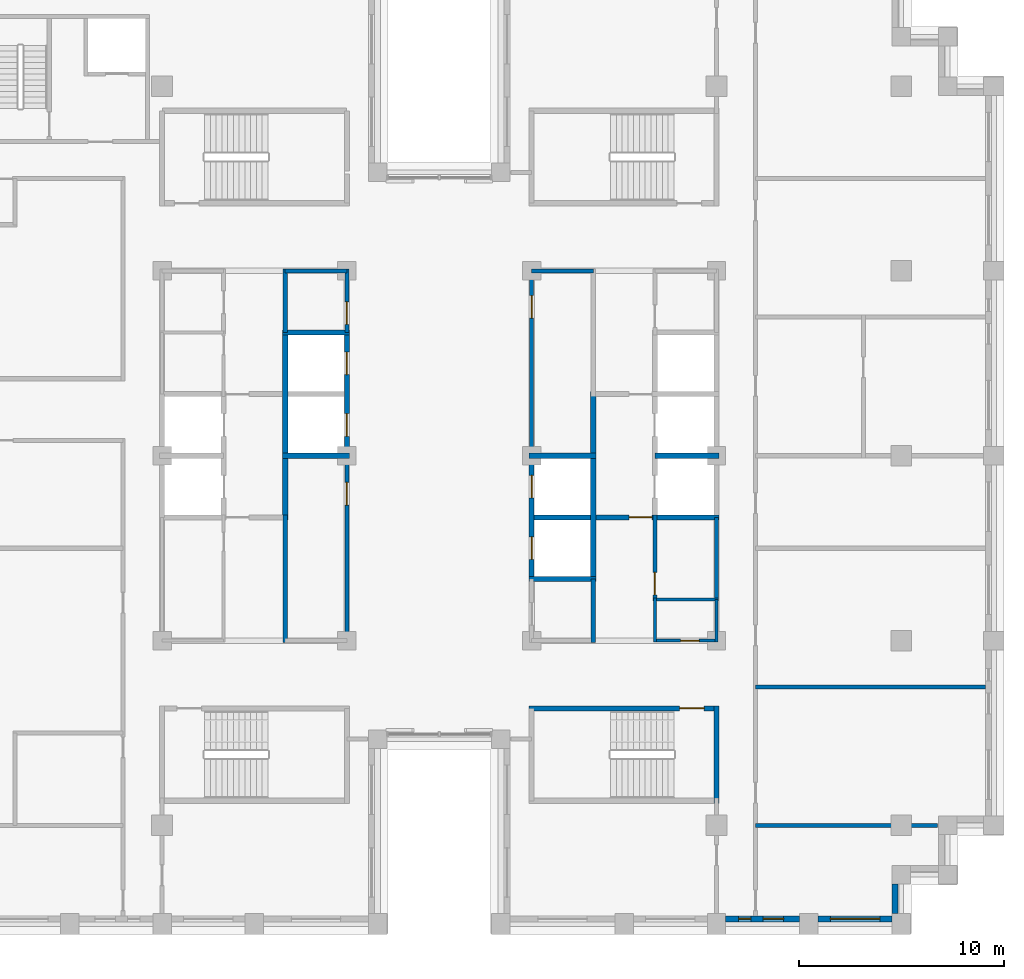
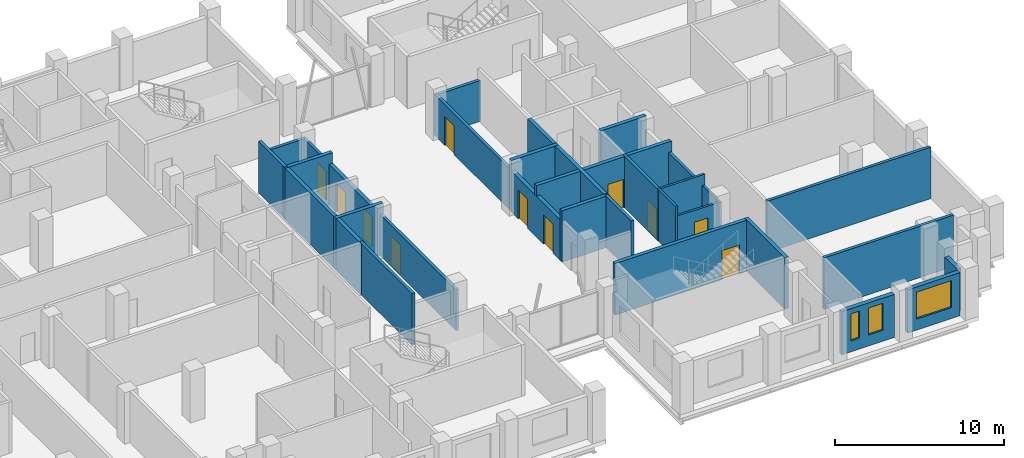
# One storey, part 8 of 15: 31 walls, 11 doors, 3 windows, 14 openings.
"""IFC4 building model written with IfcOpenShell, lengths in metres."""

from ifc_helpers import new_model, si_unit, direction, frame, frame_2d, origin, place, context, subcontext, project, spatial, rectangle, extrude, material, layer, layer_set, type_object, element, fill, save


model = new_model("IFC4")

# Units and contexts
model_context = context("Model", 3, precision=1e-05, world=origin(), true_north=direction((0.0, 1.0)))
body_context = subcontext(model_context, "Body", "Model", "MODEL_VIEW")
ifc_project = project(units=[si_unit("LENGTHUNIT", "METRE"), si_unit("AREAUNIT", "SQUARE_METRE"), si_unit("VOLUMEUNIT", "CUBIC_METRE"), si_unit("PLANEANGLEUNIT", "RADIAN"), si_unit("MASSUNIT", "GRAM", prefix="KILO")], contexts=[model_context])

# Site, building, storey
site_placement = place(None, origin())
site = spatial("IfcSite", under=ifc_project, at=site_placement, CompositionType="ELEMENT")
building_placement = place(site_placement, origin())
building = spatial("IfcBuilding", under=site, at=building_placement, Name="Corbelhall Arena Tower", CompositionType="ELEMENT")
storey_placement = place(building_placement, frame((0.0, 0.0, 228.0)))
storey = spatial("IfcBuildingStorey", under=building, at=storey_placement, Name="L48", CompositionType="ELEMENT", Elevation=228.0)

# Wall, openings, windows
ifc_material_1 = material(Name="Precast concrete C40/50 with granite facing", Category="masonry")
ifc_layer_1 = layer(ifc_material_1, 0.300048828125)
ifc_layer_set_1 = layer_set([ifc_layer_1], Name="EV-IW1 Infill panel 300")
wall_type_1 = type_object("IfcWallType", Name="EV-IW1 Infill panel 300", PredefinedType="SOLIDWALL", material=ifc_layer_set_1)
wall_1_placement = place(storey_placement, frame((13.949951171875, -22.550048828125, 0.0), z_axis=(0.0, 0.0, 1.0), x_axis=(1.0, 0.0, 0.0)))
wall_1 = element("IfcWall", 1, at=wall_1_placement, inside=storey, type_object=wall_type_1, Name="Infill panel IW1", PredefinedType="SOLIDWALL", context=body_context, shape_type="SweptSolid", body=[
    extrude(rectangle(XDim=3.60009765625, YDim=0.300048828125, at=frame_2d((1.800048828125, 0.0))), origin(), (0.0, 0.0, 1.0), 3.1201171875),
])
opening_1_placement = place(wall_1_placement, frame((0.625, 0.0, 0.800048828125)))
opening_1 = element("IfcOpeningElement", 2, at=opening_1_placement, cuts=wall_1, Name="Opening WN5", PredefinedType="OPENING", context=body_context, shape_type="SweptSolid", body=[
    extrude(rectangle(XDim=0.60009765625, YDim=1.949951171875, at=frame_2d((0.300048828125, 0.97509765625))), frame((0.0, 0.14990234375, 0.0), z_axis=(0.0, -1.0, 0.0), x_axis=(1.0, 0.0, 0.0)), (0.0, 0.0, 1.0), 0.300048828125),
])
opening_2_placement = place(wall_1_placement, frame((1.824951171875, 0.0, 0.800048828125)))
opening_2 = element("IfcOpeningElement", 3, at=opening_2_placement, cuts=wall_1, Name="Opening WN6", PredefinedType="OPENING", context=body_context, shape_type="SweptSolid", body=[
    extrude(rectangle(XDim=1.0, YDim=1.949951171875, at=frame_2d((0.5, 0.97509765625))), frame((0.0, 0.14990234375, 0.0), z_axis=(0.0, -1.0, 0.0), x_axis=(1.0, 0.0, 0.0)), (0.0, 0.0, 1.0), 0.300048828125),
])
ifc_material_2 = material(Name="Aluminium black anodised", Category="aluminium")
window_type_1 = type_object("IfcWindowType", Name="EV-WN5 Office window 600", PartitioningType="SINGLE_PANEL", PredefinedType="WINDOW", material=ifc_material_2)
window_1_placement = place(opening_1_placement, origin())
window_1 = element("IfcWindow", 4, at=window_1_placement, inside=storey, type_object=window_type_1, Name="Window WN5", OverallHeight=1.949951171875, OverallWidth=0.60009765625, PartitioningType="SINGLE_PANEL", PredefinedType="WINDOW", context=body_context, shape_type="SweptSolid", body=[
    extrude(rectangle(XDim=0.60009765625, YDim=1.949951171875, at=frame_2d((0.300048828125, 0.97509765625))), frame((0.0, 0.030029296875, 0.0), z_axis=(0.0, -1.0, 0.0), x_axis=(1.0, 0.0, 0.0)), (0.0, 0.0, 1.0), 0.06005859375),
])
fill(opening_1, window_1)
window_type_2 = type_object("IfcWindowType", Name="EV-WN6 Office window 1000", PartitioningType="SINGLE_PANEL", PredefinedType="WINDOW", material=ifc_material_2)
window_2_placement = place(opening_2_placement, origin())
window_2 = element("IfcWindow", 5, at=window_2_placement, inside=storey, type_object=window_type_2, Name="Window WN6", OverallHeight=1.949951171875, OverallWidth=1.0, PartitioningType="SINGLE_PANEL", PredefinedType="WINDOW", context=body_context, shape_type="SweptSolid", body=[
    extrude(rectangle(XDim=1.0, YDim=1.949951171875, at=frame_2d((0.5, 0.97509765625))), frame((0.0, 0.030029296875, 0.0), z_axis=(0.0, -1.0, 0.0), x_axis=(1.0, 0.0, 0.0)), (0.0, 0.0, 1.0), 0.06005859375),
])
fill(opening_2, window_2)

# Wall, opening, window
wall_2_placement = place(storey_placement, frame((18.449951171875, -22.550048828125, 0.0), z_axis=(0.0, 0.0, 1.0), x_axis=(1.0, 0.0, 0.0)))
wall_2 = element("IfcWall", 6, at=wall_2_placement, inside=storey, type_object=wall_type_1, Name="Infill panel IW1", PredefinedType="SOLIDWALL", context=body_context, shape_type="SweptSolid", body=[
    extrude(rectangle(XDim=3.60009765625, YDim=0.300048828125, at=frame_2d((1.800048828125, 0.0))), origin(), (0.0, 0.0, 1.0), 3.1201171875),
])
opening_3_placement = place(wall_2_placement, frame((0.60009765625, 0.0, 0.800048828125)))
opening_3 = element("IfcOpeningElement", 7, at=opening_3_placement, cuts=wall_2, Name="Opening WN1", PredefinedType="OPENING", context=body_context, shape_type="SweptSolid", body=[
    extrude(rectangle(XDim=2.39990234375, YDim=1.949951171875, at=frame_2d((1.199951171875, 0.97509765625))), frame((0.0, 0.14990234375, 0.0), z_axis=(0.0, -1.0, 0.0), x_axis=(1.0, 0.0, 0.0)), (0.0, 0.0, 1.0), 0.300048828125),
])
window_type_3 = type_object("IfcWindowType", Name="EV-WN1 Office window", PartitioningType="SINGLE_PANEL", PredefinedType="WINDOW", material=ifc_material_2)
window_3_placement = place(opening_3_placement, origin())
window_3 = element("IfcWindow", 8, at=window_3_placement, inside=storey, type_object=window_type_3, Name="Window WN1", OverallHeight=1.949951171875, OverallWidth=2.39990234375, PartitioningType="SINGLE_PANEL", PredefinedType="WINDOW", context=body_context, shape_type="SweptSolid", body=[
    extrude(rectangle(XDim=2.39990234375, YDim=1.949951171875, at=frame_2d((1.199951171875, 0.97509765625))), frame((0.0, 0.030029296875, 0.0), z_axis=(0.0, -1.0, 0.0), x_axis=(1.0, 0.0, 0.0)), (0.0, 0.0, 1.0), 0.06005859375),
])
fill(opening_3, window_3)

# Walls
wall_3_placement = place(storey_placement, frame((22.199951171875, -22.300048828125, 0.0), z_axis=(0.0, 0.0, 1.0), x_axis=(0.0, 1.0, 0.0)))
element("IfcWall", 9, at=wall_3_placement, inside=storey, type_object=wall_type_1, Name="Infill panel IW1", PredefinedType="SOLIDWALL", context=body_context, shape_type="SweptSolid", body=[
    extrude(rectangle(XDim=1.449951171875, YDim=0.300048828125, at=frame_2d((0.72509765625, 0.0))), origin(), (0.0, 0.0, 1.0), 3.1201171875),
])
ifc_material_3 = material(Name="Gypsum board on steel stud, acoustic", Category="steel")
ifc_layer_2 = layer(ifc_material_3, 0.199951171875)
ifc_layer_set_2 = layer_set([ifc_layer_2], Name="IN-W-DM200")
wall_type_2 = type_object("IfcWallType", Name="IN-W-DM200", PredefinedType="PARTITIONING", material=ifc_layer_set_2)
wall_4_placement = place(storey_placement, frame((15.39990234375, -18.0, 0.0), z_axis=(0.0, 0.0, 1.0), x_axis=(1.0, 0.0, 0.0)))
element("IfcWall", 10, at=wall_4_placement, inside=storey, type_object=wall_type_2, Name="Partition 026", PredefinedType="PARTITIONING", context=body_context, shape_type="SweptSolid", body=[
    extrude(rectangle(XDim=8.85009765625, YDim=0.199951171875, at=frame_2d((4.425048828125, 0.0))), origin(), (0.0, 0.0, 1.0), 3.719970703125),
])
wall_5_placement = place(storey_placement, frame((15.39990234375, -11.25, 0.0), z_axis=(0.0, 0.0, 1.0), x_axis=(1.0, 0.0, 0.0)))
element("IfcWall", 11, at=wall_5_placement, inside=storey, type_object=wall_type_2, Name="Partition 028", PredefinedType="PARTITIONING", context=body_context, shape_type="SweptSolid", body=[
    extrude(rectangle(XDim=11.2001953125, YDim=0.199951171875, at=frame_2d((5.60009765625, 0.0))), origin(), (0.0, 0.0, 1.0), 3.719970703125),
])
ifc_material_4 = material(Name="Concrete block wall", Category="concrete")
ifc_layer_3 = layer(ifc_material_4, 0.199951171875)
ifc_layer_set_3 = layer_set([ifc_layer_3], Name="IN-W-RS200")
wall_type_3 = type_object("IfcWallType", Name="IN-W-RS200", PredefinedType="SOLIDWALL", material=ifc_layer_set_3)
wall_6_placement = place(storey_placement, frame((-7.5, -9.10009765625, 0.0), z_axis=(0.0, 0.0, 1.0), x_axis=(0.0, 1.0, 0.0)))
element("IfcWall", 12, at=wall_6_placement, inside=storey, type_object=wall_type_3, Name="Partition 037", PredefinedType="SOLIDWALL", context=body_context, shape_type="SweptSolid", body=[
    extrude(rectangle(XDim=6.22509765625, YDim=0.199951171875, at=frame_2d((3.112548828125, 0.0))), origin(), (0.0, 0.0, 1.0), 3.719970703125),
])
for number, where, z_axis, x_axis, name in (
    (13, (-7.5, 6.0, 0.0), (0.0, 0.0, 1.0), (0.0, 1.0, 0.0), "Partition 038"),
    (14, (7.5, -6.0, 0.0), (0.0, 0.0, 1.0), (0.0, -1.0, 0.0), "Partition 047"),
):
    element("IfcWall", number, at=place(storey_placement, frame(where, z_axis=z_axis, x_axis=x_axis)), inside=storey, type_object=wall_type_3, Name=name, PredefinedType="SOLIDWALL", context=body_context, shape_type="SweptSolid", body=[
        extrude(rectangle(XDim=3.10009765625, YDim=0.199951171875, at=frame_2d((1.550048828125, 0.0))), origin(), (0.0, 0.0, 1.0), 3.719970703125),
    ])

# Wall, opening, door
wall_7_placement = place(storey_placement, frame((10.5, -2.875, 0.0), z_axis=(0.0, 0.0, 1.0), x_axis=(0.0, -1.0, 0.0)))
wall_7 = element("IfcWall", 15, at=wall_7_placement, inside=storey, type_object=wall_type_3, Name="Partition 049", PredefinedType="SOLIDWALL", context=body_context, shape_type="SweptSolid", body=[
    extrude(rectangle(XDim=4.199951171875, YDim=0.199951171875, at=frame_2d((2.10009765625, 0.0))), origin(), (0.0, 0.0, 1.0), 3.719970703125),
])
opening_4_placement = place(wall_7_placement, frame((2.800048828125, 0.0, 0.0)))
opening_4 = element("IfcOpeningElement", 16, at=opening_4_placement, cuts=wall_7, Name="Opening 15013", PredefinedType="OPENING", context=body_context, shape_type="SweptSolid", body=[
    extrude(rectangle(XDim=1.10009765625, YDim=2.10009765625, at=frame_2d((0.550048828125, 1.050048828125))), frame((0.0, 0.10009765625, 0.0), z_axis=(0.0, -1.0, 0.0), x_axis=(1.0, 0.0, 0.0)), (0.0, 0.0, 1.0), 0.199951171875),
])
ifc_material_5 = material(Name="Steel door set", Category="steel")
door_type_1 = type_object("IfcDoorType", Name="IN-D-FD110", OperationType="NOTDEFINED", PredefinedType="DOOR", material=ifc_material_5)
door_1_placement = place(opening_4_placement, origin())
door_1 = element("IfcDoor", 17, at=door_1_placement, inside=storey, type_object=door_type_1, Name="Door 013", OperationType="SINGLE_SWING_RIGHT", OverallHeight=2.10009765625, OverallWidth=1.10009765625, PredefinedType="DOOR", context=body_context, shape_type="SweptSolid", body=[
    extrude(rectangle(XDim=1.10009765625, YDim=2.10009765625, at=frame_2d((0.550048828125, 1.050048828125))), frame((0.0, 0.02490234375, 0.0), z_axis=(0.0, -1.0, 0.0), x_axis=(1.0, 0.0, 0.0)), (0.0, 0.0, 1.0), 0.050048828125),
])
fill(opening_4, door_1)

# Wall
ifc_layer_4 = layer(ifc_material_4, 0.199951171875)
ifc_layer_set_4 = layer_set([ifc_layer_4], Name="IN-W-RS200 under beam 762 mm")
wall_type_4 = type_object("IfcWallType", Name="IN-W-RS200 under beam 762 mm", PredefinedType="SOLIDWALL", material=ifc_layer_set_4)
wall_8_placement = place(storey_placement, frame((-7.5, 9.0, 0.0), z_axis=(0.0, 0.0, 1.0), x_axis=(1.0, 0.0, 0.0)))
element("IfcWall", 18, at=wall_8_placement, inside=storey, type_object=wall_type_4, Name="Partition 039", PredefinedType="SOLIDWALL", context=body_context, shape_type="SweptSolid", body=[
    extrude(rectangle(XDim=3.0, YDim=0.199951171875, at=frame_2d((1.5, 0.0))), origin(), (0.0, 0.0, 1.0), 2.9580078125),
])

# Wall, opening, door
wall_9_placement = place(storey_placement, frame((-4.5, 0.0, 0.0), z_axis=(0.0, 0.0, 1.0), x_axis=(0.0, -1.0, 0.0)))
wall_9 = element("IfcWall", 19, at=wall_9_placement, inside=storey, type_object=wall_type_4, Name="Partition 041", PredefinedType="SOLIDWALL", context=body_context, shape_type="SweptSolid", body=[
    extrude(rectangle(XDim=9.10009765625, YDim=0.199951171875, at=frame_2d((4.550048828125, 0.0))), origin(), (0.0, 0.0, 1.0), 2.9580078125),
])
opening_5_placement = place(wall_9_placement, frame((1.300048828125, 0.0, 0.0)))
opening_5 = element("IfcOpeningElement", 20, at=opening_5_placement, cuts=wall_9, Name="Opening 15001", PredefinedType="OPENING", context=body_context, shape_type="SweptSolid", body=[
    extrude(rectangle(XDim=1.10009765625, YDim=2.10009765625, at=frame_2d((0.550048828125, 1.050048828125))), frame((0.0, 0.10009765625, 0.0), z_axis=(0.0, -1.0, 0.0), x_axis=(1.0, 0.0, 0.0)), (0.0, 0.0, 1.0), 0.199951171875),
])
door_2_placement = place(opening_5_placement, origin())
door_2 = element("IfcDoor", 21, at=door_2_placement, inside=storey, type_object=door_type_1, Name="Door 001", OperationType="SINGLE_SWING_RIGHT", OverallHeight=2.10009765625, OverallWidth=1.10009765625, PredefinedType="DOOR", context=body_context, shape_type="SweptSolid", body=[
    extrude(rectangle(XDim=1.10009765625, YDim=2.10009765625, at=frame_2d((0.550048828125, 1.050048828125))), frame((0.0, 0.02490234375, 0.0), z_axis=(0.0, -1.0, 0.0), x_axis=(1.0, 0.0, 0.0)), (0.0, 0.0, 1.0), 0.050048828125),
])
fill(opening_5, door_2)

wall_10_placement = place(storey_placement, frame((-4.5, 9.10009765625, 0.0), z_axis=(0.0, 0.0, 1.0), x_axis=(0.0, -1.0, 0.0)))
wall_10 = element("IfcWall", 22, at=wall_10_placement, inside=storey, type_object=wall_type_4, Name="Partition 042", PredefinedType="SOLIDWALL", context=body_context, shape_type="SweptSolid", body=[
    extrude(rectangle(XDim=3.10009765625, YDim=0.199951171875, at=frame_2d((1.550048828125, 0.0))), origin(), (0.0, 0.0, 1.0), 2.9580078125),
])
opening_6_placement = place(wall_10_placement, frame((1.60009765625, 0.0, 0.0)))
opening_6 = element("IfcOpeningElement", 23, at=opening_6_placement, cuts=wall_10, Name="Opening 15002", PredefinedType="OPENING", context=body_context, shape_type="SweptSolid", body=[
    extrude(rectangle(XDim=1.10009765625, YDim=2.10009765625, at=frame_2d((0.550048828125, 1.050048828125))), frame((0.0, 0.10009765625, 0.0), z_axis=(0.0, -1.0, 0.0), x_axis=(1.0, 0.0, 0.0)), (0.0, 0.0, 1.0), 0.199951171875),
])
door_3_placement = place(opening_6_placement, origin())
door_3 = element("IfcDoor", 24, at=door_3_placement, inside=storey, type_object=door_type_1, Name="Door 002", OperationType="SINGLE_SWING_LEFT", OverallHeight=2.10009765625, OverallWidth=1.10009765625, PredefinedType="DOOR", context=body_context, shape_type="SweptSolid", body=[
    extrude(rectangle(XDim=1.10009765625, YDim=2.10009765625, at=frame_2d((0.550048828125, 1.050048828125))), frame((0.0, 0.02490234375, 0.0), z_axis=(0.0, -1.0, 0.0), x_axis=(1.0, 0.0, 0.0)), (0.0, 0.0, 1.0), 0.050048828125),
])
fill(opening_6, door_3)

wall_11_placement = place(storey_placement, frame((4.5, 0.0, 0.0), z_axis=(0.0, 0.0, 1.0), x_axis=(0.0, 1.0, 0.0)))
wall_11 = element("IfcWall", 25, at=wall_11_placement, inside=storey, type_object=wall_type_4, Name="Partition 044", PredefinedType="SOLIDWALL", context=body_context, shape_type="SweptSolid", body=[
    extrude(rectangle(XDim=9.10009765625, YDim=0.199951171875, at=frame_2d((4.550048828125, 0.0))), origin(), (0.0, 0.0, 1.0), 2.9580078125),
])
opening_7_placement = place(wall_11_placement, frame((6.699951171875, 0.0, 0.0)))
opening_7 = element("IfcOpeningElement", 26, at=opening_7_placement, cuts=wall_11, Name="Opening 15009", PredefinedType="OPENING", context=body_context, shape_type="SweptSolid", body=[
    extrude(rectangle(XDim=1.10009765625, YDim=2.10009765625, at=frame_2d((0.550048828125, 1.050048828125))), frame((0.0, 0.10009765625, 0.0), z_axis=(0.0, -1.0, 0.0), x_axis=(1.0, 0.0, 0.0)), (0.0, 0.0, 1.0), 0.199951171875),
])
door_4_placement = place(opening_7_placement, origin())
door_4 = element("IfcDoor", 27, at=door_4_placement, inside=storey, type_object=door_type_1, Name="Door 009", OperationType="SINGLE_SWING_RIGHT", OverallHeight=2.10009765625, OverallWidth=1.10009765625, PredefinedType="DOOR", context=body_context, shape_type="SweptSolid", body=[
    extrude(rectangle(XDim=1.10009765625, YDim=2.10009765625, at=frame_2d((0.550048828125, 1.050048828125))), frame((0.0, 0.02490234375, 0.0), z_axis=(0.0, -1.0, 0.0), x_axis=(1.0, 0.0, 0.0)), (0.0, 0.0, 1.0), 0.050048828125),
])
fill(opening_7, door_4)

# Walls
wall_12_placement = place(storey_placement, frame((4.5, 9.0, 0.0), z_axis=(0.0, 0.0, 1.0), x_axis=(1.0, 0.0, 0.0)))
element("IfcWall", 28, at=wall_12_placement, inside=storey, type_object=wall_type_4, Name="Partition 045", PredefinedType="SOLIDWALL", context=body_context, shape_type="SweptSolid", body=[
    extrude(rectangle(XDim=3.0, YDim=0.199951171875, at=frame_2d((1.5, 0.0))), origin(), (0.0, 0.0, 1.0), 2.9580078125),
])
wall_13_placement = place(storey_placement, frame((13.5, -3.0, 0.0), z_axis=(0.0, 0.0, 1.0), x_axis=(0.0, -1.0, 0.0)))
element("IfcWall", 29, at=wall_13_placement, inside=storey, type_object=wall_type_4, Name="Partition 052", PredefinedType="SOLIDWALL", context=body_context, shape_type="SweptSolid", body=[
    extrude(rectangle(XDim=4.0, YDim=0.199951171875, at=frame_2d((2.0, 0.0))), origin(), (0.0, 0.0, 1.0), 2.9580078125),
])
ifc_material_6 = material(Name="Concrete C40/50", Category="concrete")
ifc_layer_5 = layer(ifc_material_6, 0.25)
ifc_layer_set_5 = layer_set([ifc_layer_5], Name="IN-W-SH250")
wall_type_5 = type_object("IfcWallType", Name="IN-W-SH250", PredefinedType="SOLIDWALL", material=ifc_layer_set_5)
for number, where, z_axis, x_axis, name in (
    (30, (-7.625, 0.0, 0.0), (0.0, 0.0, 1.0), (1.0, 0.0, 0.0), "Shaft wall 059"),
    (31, (-7.625, 6.0, 0.0), (0.0, 0.0, 1.0), (1.0, 0.0, 0.0), "Shaft wall 060"),
):
    element("IfcWall", number, at=place(storey_placement, frame(where, z_axis=z_axis, x_axis=x_axis)), inside=storey, type_object=wall_type_5, Name=name, PredefinedType="SOLIDWALL", context=body_context, shape_type="SweptSolid", body=[
        extrude(rectangle(XDim=3.25, YDim=0.25, at=frame_2d((1.625, 0.0))), origin(), (0.0, 0.0, 1.0), 3.719970703125),
    ])
wall_14_placement = place(storey_placement, frame((-7.5, -3.125, 0.0), z_axis=(0.0, 0.0, 1.0), x_axis=(0.0, 1.0, 0.0)))
element("IfcWall", 32, at=wall_14_placement, inside=storey, type_object=wall_type_5, Name="Shaft wall 061", PredefinedType="SOLIDWALL", context=body_context, shape_type="SweptSolid", body=[
    extrude(rectangle(XDim=9.125, YDim=0.25, at=frame_2d((4.5625, 0.0))), origin(), (0.0, 0.0, 1.0), 3.719970703125),
])
wall_15_placement = place(storey_placement, frame((4.375, -6.0, 0.0), z_axis=(0.0, 0.0, 1.0), x_axis=(1.0, 0.0, 0.0)))
element("IfcWall", 33, at=wall_15_placement, inside=storey, type_object=wall_type_5, Name="Shaft wall 063", PredefinedType="SOLIDWALL", context=body_context, shape_type="SweptSolid", body=[
    extrude(rectangle(XDim=3.25, YDim=0.25, at=frame_2d((1.625, 0.0))), origin(), (0.0, 0.0, 1.0), 3.719970703125),
])

# Wall, opening, door
wall_16_placement = place(storey_placement, frame((4.375, -3.0, 0.0), z_axis=(0.0, 0.0, 1.0), x_axis=(1.0, 0.0, 0.0)))
wall_16 = element("IfcWall", 34, at=wall_16_placement, inside=storey, type_object=wall_type_5, Name="Shaft wall 064", PredefinedType="SOLIDWALL", context=body_context, shape_type="SweptSolid", body=[
    extrude(rectangle(XDim=9.25, YDim=0.25, at=frame_2d((4.625, 0.0))), origin(), (0.0, 0.0, 1.0), 3.719970703125),
])
opening_8_placement = place(wall_16_placement, frame((4.875, 0.0, 0.0)))
opening_8 = element("IfcOpeningElement", 35, at=opening_8_placement, cuts=wall_16, Name="Opening 15010", PredefinedType="OPENING", context=body_context, shape_type="SweptSolid", body=[
    extrude(rectangle(XDim=1.10009765625, YDim=2.10009765625, at=frame_2d((0.550048828125, 1.050048828125))), frame((0.0, 0.125, 0.0), z_axis=(0.0, -1.0, 0.0), x_axis=(1.0, 0.0, 0.0)), (0.0, 0.0, 1.0), 0.25),
])
door_5_placement = place(opening_8_placement, origin())
door_5 = element("IfcDoor", 36, at=door_5_placement, inside=storey, type_object=door_type_1, Name="Door 010", OperationType="SINGLE_SWING_LEFT", OverallHeight=2.10009765625, OverallWidth=1.10009765625, PredefinedType="DOOR", context=body_context, shape_type="SweptSolid", body=[
    extrude(rectangle(XDim=1.10009765625, YDim=2.10009765625, at=frame_2d((0.550048828125, 1.050048828125))), frame((0.0, 0.02490234375, 0.0), z_axis=(0.0, -1.0, 0.0), x_axis=(1.0, 0.0, 0.0)), (0.0, 0.0, 1.0), 0.050048828125),
])
fill(opening_8, door_5)

# Walls
wall_17_placement = place(storey_placement, frame((4.375, 0.0, 0.0), z_axis=(0.0, 0.0, 1.0), x_axis=(1.0, 0.0, 0.0)))
element("IfcWall", 37, at=wall_17_placement, inside=storey, type_object=wall_type_5, Name="Shaft wall 065", PredefinedType="SOLIDWALL", context=body_context, shape_type="SweptSolid", body=[
    extrude(rectangle(XDim=3.25, YDim=0.25, at=frame_2d((1.625, 0.0))), origin(), (0.0, 0.0, 1.0), 3.719970703125),
])
wall_18_placement = place(storey_placement, frame((7.5, 3.125, 0.0), z_axis=(0.0, 0.0, 1.0), x_axis=(0.0, -1.0, 0.0)))
element("IfcWall", 38, at=wall_18_placement, inside=storey, type_object=wall_type_5, Name="Shaft wall 067", PredefinedType="SOLIDWALL", context=body_context, shape_type="SweptSolid", body=[
    extrude(rectangle(XDim=9.125, YDim=0.25, at=frame_2d((4.5625, 0.0))), origin(), (0.0, 0.0, 1.0), 3.719970703125),
])
wall_19_placement = place(storey_placement, frame((10.5, 0.0, 0.0), z_axis=(0.0, 0.0, 1.0), x_axis=(1.0, 0.0, 0.0)))
element("IfcWall", 39, at=wall_19_placement, inside=storey, type_object=wall_type_5, Name="Shaft wall 069", PredefinedType="SOLIDWALL", context=body_context, shape_type="SweptSolid", body=[
    extrude(rectangle(XDim=3.125, YDim=0.25, at=frame_2d((1.5625, 0.0))), origin(), (0.0, 0.0, 1.0), 3.719970703125),
])

# Wall, openings, doors
ifc_layer_6 = layer(ifc_material_6, 0.25)
ifc_layer_set_6 = layer_set([ifc_layer_6], Name="IN-W-SH250 under beam 762 mm")
wall_type_6 = type_object("IfcWallType", Name="IN-W-SH250 under beam 762 mm", PredefinedType="SOLIDWALL", material=ifc_layer_set_6)
wall_20_placement = place(storey_placement, frame((-4.5, 6.0, 0.0), z_axis=(0.0, 0.0, 1.0), x_axis=(0.0, -1.0, 0.0)))
wall_20 = element("IfcWall", 40, at=wall_20_placement, inside=storey, type_object=wall_type_6, Name="Shaft wall 062", PredefinedType="SOLIDWALL", context=body_context, shape_type="SweptSolid", body=[
    extrude(rectangle(XDim=6.0, YDim=0.25, at=frame_2d((3.0, 0.0))), origin(), (0.0, 0.0, 1.0), 2.9580078125),
])
opening_9_placement = place(wall_20_placement, frame((3.949951171875, 0.0, 0.0)))
opening_9 = element("IfcOpeningElement", 41, at=opening_9_placement, cuts=wall_20, Name="Opening LD", PredefinedType="OPENING", context=body_context, shape_type="SweptSolid", body=[
    extrude(rectangle(XDim=1.10009765625, YDim=2.10009765625, at=frame_2d((0.550048828125, 1.050048828125))), frame((0.0, 0.125, 0.0), z_axis=(0.0, -1.0, 0.0), x_axis=(1.0, 0.0, 0.0)), (0.0, 0.0, 1.0), 0.25),
])
opening_10_placement = place(wall_20_placement, frame((0.949951171875, 0.0, 0.0)))
opening_10 = element("IfcOpeningElement", 42, at=opening_10_placement, cuts=wall_20, Name="Opening LD", PredefinedType="OPENING", context=body_context, shape_type="SweptSolid", body=[
    extrude(rectangle(XDim=1.10009765625, YDim=2.10009765625, at=frame_2d((0.550048828125, 1.050048828125))), frame((0.0, 0.125, 0.0), z_axis=(0.0, -1.0, 0.0), x_axis=(1.0, 0.0, 0.0)), (0.0, 0.0, 1.0), 0.25),
])
door_type_2 = type_object("IfcDoorType", Name="IN-D-LD110", OperationType="NOTDEFINED", PredefinedType="DOOR", material=ifc_material_5)
door_6_placement = place(opening_9_placement, origin())
door_6 = element("IfcDoor", 43, at=door_6_placement, inside=storey, type_object=door_type_2, Name="Landing door W4", OperationType="SLIDING_TO_LEFT", OverallHeight=2.10009765625, OverallWidth=1.10009765625, PredefinedType="DOOR", context=body_context, shape_type="SweptSolid", body=[
    extrude(rectangle(XDim=1.10009765625, YDim=2.10009765625, at=frame_2d((0.550048828125, 1.050048828125))), frame((0.0, 0.02490234375, 0.0), z_axis=(0.0, -1.0, 0.0), x_axis=(1.0, 0.0, 0.0)), (0.0, 0.0, 1.0), 0.050048828125),
])
fill(opening_9, door_6)
door_7_placement = place(opening_10_placement, origin())
door_7 = element("IfcDoor", 44, at=door_7_placement, inside=storey, type_object=door_type_2, Name="Landing door W5", OperationType="SLIDING_TO_LEFT", OverallHeight=2.10009765625, OverallWidth=1.10009765625, PredefinedType="DOOR", context=body_context, shape_type="SweptSolid", body=[
    extrude(rectangle(XDim=1.10009765625, YDim=2.10009765625, at=frame_2d((0.550048828125, 1.050048828125))), frame((0.0, 0.02490234375, 0.0), z_axis=(0.0, -1.0, 0.0), x_axis=(1.0, 0.0, 0.0)), (0.0, 0.0, 1.0), 0.050048828125),
])
fill(opening_10, door_7)

wall_21_placement = place(storey_placement, frame((4.5, -6.0, 0.0), z_axis=(0.0, 0.0, 1.0), x_axis=(0.0, 1.0, 0.0)))
wall_21 = element("IfcWall", 45, at=wall_21_placement, inside=storey, type_object=wall_type_6, Name="Shaft wall 066", PredefinedType="SOLIDWALL", context=body_context, shape_type="SweptSolid", body=[
    extrude(rectangle(XDim=6.0, YDim=0.25, at=frame_2d((3.0, 0.0))), origin(), (0.0, 0.0, 1.0), 2.9580078125),
])
opening_11_placement = place(wall_21_placement, frame((0.949951171875, 0.0, 0.0)))
opening_11 = element("IfcOpeningElement", 46, at=opening_11_placement, cuts=wall_21, Name="Opening LD", PredefinedType="OPENING", context=body_context, shape_type="SweptSolid", body=[
    extrude(rectangle(XDim=1.10009765625, YDim=2.10009765625, at=frame_2d((0.550048828125, 1.050048828125))), frame((0.0, 0.125, 0.0), z_axis=(0.0, -1.0, 0.0), x_axis=(1.0, 0.0, 0.0)), (0.0, 0.0, 1.0), 0.25),
])
opening_12_placement = place(wall_21_placement, frame((3.949951171875, 0.0, 0.0)))
opening_12 = element("IfcOpeningElement", 47, at=opening_12_placement, cuts=wall_21, Name="Opening LD", PredefinedType="OPENING", context=body_context, shape_type="SweptSolid", body=[
    extrude(rectangle(XDim=1.10009765625, YDim=2.10009765625, at=frame_2d((0.550048828125, 1.050048828125))), frame((0.0, 0.125, 0.0), z_axis=(0.0, -1.0, 0.0), x_axis=(1.0, 0.0, 0.0)), (0.0, 0.0, 1.0), 0.25),
])
door_8_placement = place(opening_11_placement, origin())
door_8 = element("IfcDoor", 48, at=door_8_placement, inside=storey, type_object=door_type_2, Name="Landing door E2", OperationType="SLIDING_TO_LEFT", OverallHeight=2.10009765625, OverallWidth=1.10009765625, PredefinedType="DOOR", context=body_context, shape_type="SweptSolid", body=[
    extrude(rectangle(XDim=1.10009765625, YDim=2.10009765625, at=frame_2d((0.550048828125, 1.050048828125))), frame((0.0, 0.02490234375, 0.0), z_axis=(0.0, -1.0, 0.0), x_axis=(1.0, 0.0, 0.0)), (0.0, 0.0, 1.0), 0.050048828125),
])
fill(opening_11, door_8)
door_9_placement = place(opening_12_placement, origin())
door_9 = element("IfcDoor", 49, at=door_9_placement, inside=storey, type_object=door_type_2, Name="Landing door E3", OperationType="SLIDING_TO_LEFT", OverallHeight=2.10009765625, OverallWidth=1.10009765625, PredefinedType="DOOR", context=body_context, shape_type="SweptSolid", body=[
    extrude(rectangle(XDim=1.10009765625, YDim=2.10009765625, at=frame_2d((0.550048828125, 1.050048828125))), frame((0.0, 0.02490234375, 0.0), z_axis=(0.0, -1.0, 0.0), x_axis=(1.0, 0.0, 0.0)), (0.0, 0.0, 1.0), 0.050048828125),
])
fill(opening_12, door_9)

# Wall
ifc_layer_7 = layer(ifc_material_6, 0.25)
ifc_layer_set_7 = layer_set([ifc_layer_7], Name="IN-W-ST250")
wall_type_7 = type_object("IfcWallType", Name="IN-W-ST250", PredefinedType="SOLIDWALL", material=ifc_layer_set_7)
wall_22_placement = place(storey_placement, frame((13.5, -16.925048828125, 0.0), z_axis=(0.0, 0.0, 1.0), x_axis=(0.0, 1.0, 0.0)))
element("IfcWall", 50, at=wall_22_placement, inside=storey, type_object=wall_type_7, Name="Shaft wall 092", PredefinedType="SOLIDWALL", context=body_context, shape_type="SweptSolid", body=[
    extrude(rectangle(XDim=4.75, YDim=0.25, at=frame_2d((2.375, 0.0))), origin(), (0.0, 0.0, 1.0), 3.719970703125),
])

# Wall, opening, door
wall_23_placement = place(storey_placement, frame((13.5, -12.300048828125, 0.0), z_axis=(0.0, 0.0, 1.0), x_axis=(-1.0, 0.0, 0.0)))
wall_23 = element("IfcWall", 51, at=wall_23_placement, inside=storey, type_object=wall_type_7, Name="Shaft wall 094", PredefinedType="SOLIDWALL", context=body_context, shape_type="SweptSolid", body=[
    extrude(rectangle(XDim=9.125, YDim=0.25, at=frame_2d((4.5625, 0.0))), origin(), (0.0, 0.0, 1.0), 3.719970703125),
])
opening_13_placement = place(wall_23_placement, frame((0.60009765625, 0.0, 0.0)))
opening_13 = element("IfcOpeningElement", 52, at=opening_13_placement, cuts=wall_23, Name="Opening 15018", PredefinedType="OPENING", context=body_context, shape_type="SweptSolid", body=[
    extrude(rectangle(XDim=1.199951171875, YDim=2.10009765625, at=frame_2d((0.60009765625, 1.050048828125))), frame((0.0, 0.125, 0.0), z_axis=(0.0, -1.0, 0.0), x_axis=(1.0, 0.0, 0.0)), (0.0, 0.0, 1.0), 0.25),
])
door_type_3 = type_object("IfcDoorType", Name="IN-D-ST120", OperationType="NOTDEFINED", PredefinedType="DOOR", material=ifc_material_5)
door_10_placement = place(opening_13_placement, origin())
door_10 = element("IfcDoor", 53, at=door_10_placement, inside=storey, type_object=door_type_3, Name="Door 018", OperationType="SINGLE_SWING_LEFT", OverallHeight=2.10009765625, OverallWidth=1.199951171875, PredefinedType="DOOR", context=body_context, shape_type="SweptSolid", body=[
    extrude(rectangle(XDim=1.199951171875, YDim=2.10009765625, at=frame_2d((0.60009765625, 1.050048828125))), frame((0.0, 0.02490234375, 0.0), z_axis=(0.0, -1.0, 0.0), x_axis=(1.0, 0.0, 0.0)), (0.0, 0.0, 1.0), 0.050048828125),
])
fill(opening_13, door_10)

# Walls
ifc_material_7 = material(Name="Gypsum board on steel stud, moisture resistant", Category="steel")
ifc_layer_8 = layer(ifc_material_7, 0.14990234375)
ifc_layer_set_8 = layer_set([ifc_layer_8], Name="IN-W-WC150")
wall_type_8 = type_object("IfcWallType", Name="IN-W-WC150", PredefinedType="PARTITIONING", material=ifc_layer_set_8)
wall_24_placement = place(storey_placement, frame((10.5, -7.0, 0.0), z_axis=(0.0, 0.0, 1.0), x_axis=(1.0, 0.0, 0.0)))
element("IfcWall", 54, at=wall_24_placement, inside=storey, type_object=wall_type_8, Name="Partition 102", PredefinedType="PARTITIONING", context=body_context, shape_type="SweptSolid", body=[
    extrude(rectangle(XDim=3.10009765625, YDim=0.14990234375, at=frame_2d((1.550048828125, 0.0))), origin(), (0.0, 0.0, 1.0), 3.719970703125),
])
wall_25_placement = place(storey_placement, frame((10.5, -6.925048828125, 0.0), z_axis=(0.0, 0.0, 1.0), x_axis=(0.0, -1.0, 0.0)))
element("IfcWall", 55, at=wall_25_placement, inside=storey, type_object=wall_type_8, Name="Partition 103", PredefinedType="PARTITIONING", context=body_context, shape_type="SweptSolid", body=[
    extrude(rectangle(XDim=2.14990234375, YDim=0.14990234375, at=frame_2d((1.074951171875, 0.0))), origin(), (0.0, 0.0, 1.0), 3.719970703125),
])

# Wall, opening, door
ifc_layer_9 = layer(ifc_material_7, 0.14990234375)
ifc_layer_set_9 = layer_set([ifc_layer_9], Name="IN-W-WC150 under beam 762 mm")
wall_type_9 = type_object("IfcWallType", Name="IN-W-WC150 under beam 762 mm", PredefinedType="PARTITIONING", material=ifc_layer_set_9)
wall_26_placement = place(storey_placement, frame((13.5, -9.0, 0.0), z_axis=(0.0, 0.0, 1.0), x_axis=(-1.0, 0.0, 0.0)))
wall_26 = element("IfcWall", 56, at=wall_26_placement, inside=storey, type_object=wall_type_9, Name="Partition 104", PredefinedType="PARTITIONING", context=body_context, shape_type="SweptSolid", body=[
    extrude(rectangle(XDim=3.0, YDim=0.14990234375, at=frame_2d((1.5, 0.0))), origin(), (0.0, 0.0, 1.0), 2.9580078125),
])
opening_14_placement = place(wall_26_placement, frame((0.85009765625, 0.0, 0.0)))
opening_14 = element("IfcOpeningElement", 57, at=opening_14_placement, cuts=wall_26, Name="Opening 15012", PredefinedType="OPENING", context=body_context, shape_type="SweptSolid", body=[
    extrude(rectangle(XDim=0.89990234375, YDim=2.10009765625, at=frame_2d((0.449951171875, 1.050048828125))), frame((0.0, 0.074951171875, 0.0), z_axis=(0.0, -1.0, 0.0), x_axis=(1.0, 0.0, 0.0)), (0.0, 0.0, 1.0), 0.14990234375),
])
ifc_material_8 = material(Name="Timber door set", Category="wood")
door_type_4 = type_object("IfcDoorType", Name="IN-D-SW90", OperationType="NOTDEFINED", PredefinedType="DOOR", material=ifc_material_8)
door_11_placement = place(opening_14_placement, origin())
door_11 = element("IfcDoor", 58, at=door_11_placement, inside=storey, type_object=door_type_4, Name="Door 012", OperationType="SINGLE_SWING_LEFT", OverallHeight=2.10009765625, OverallWidth=0.89990234375, PredefinedType="DOOR", context=body_context, shape_type="SweptSolid", body=[
    extrude(rectangle(XDim=0.89990234375, YDim=2.10009765625, at=frame_2d((0.449951171875, 1.050048828125))), frame((0.0, 0.02490234375, 0.0), z_axis=(0.0, -1.0, 0.0), x_axis=(1.0, 0.0, 0.0)), (0.0, 0.0, 1.0), 0.050048828125),
])
fill(opening_14, door_11)

# Wall
wall_27_placement = place(storey_placement, frame((13.5, -7.0, 0.0), z_axis=(0.0, 0.0, 1.0), x_axis=(0.0, -1.0, 0.0)))
element("IfcWall", 59, at=wall_27_placement, inside=storey, type_object=wall_type_9, Name="Partition 105", PredefinedType="PARTITIONING", context=body_context, shape_type="SweptSolid", body=[
    extrude(rectangle(XDim=2.074951171875, YDim=0.14990234375, at=frame_2d((1.03759765625, 0.0))), origin(), (0.0, 0.0, 1.0), 2.9580078125),
])

save(model, "model.ifc")
